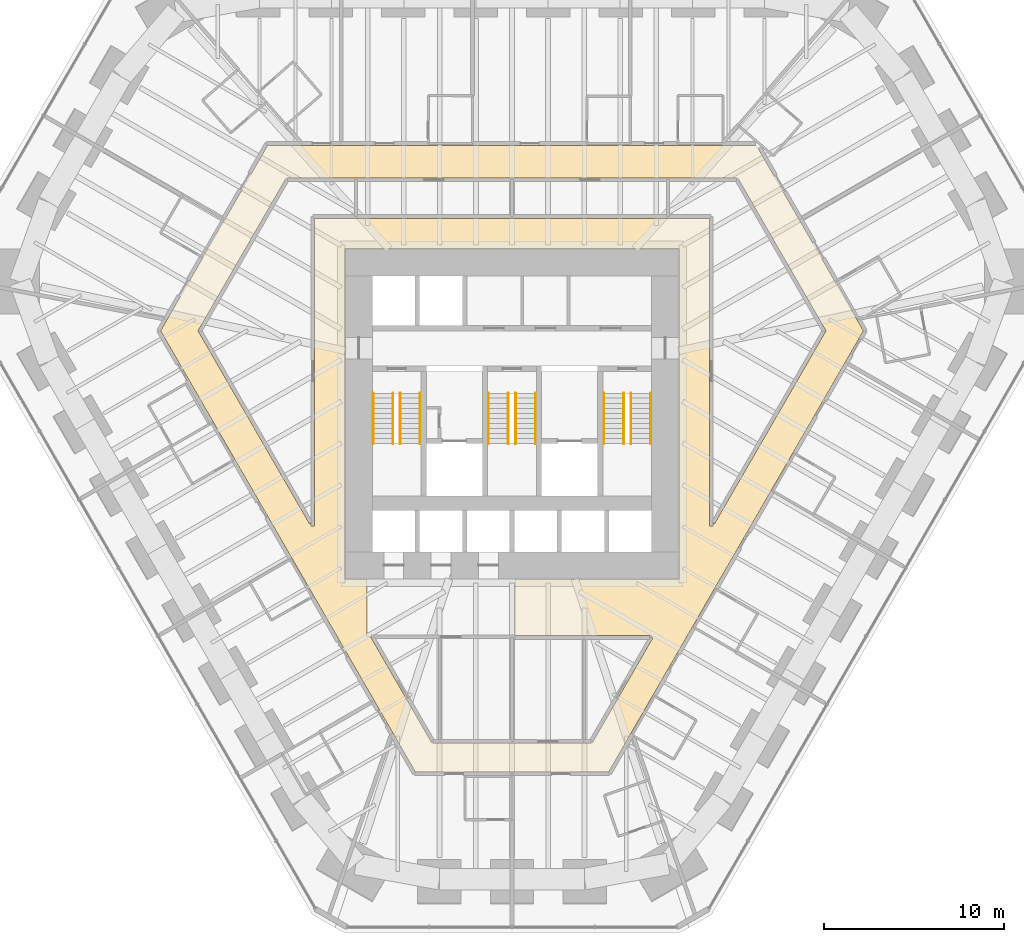
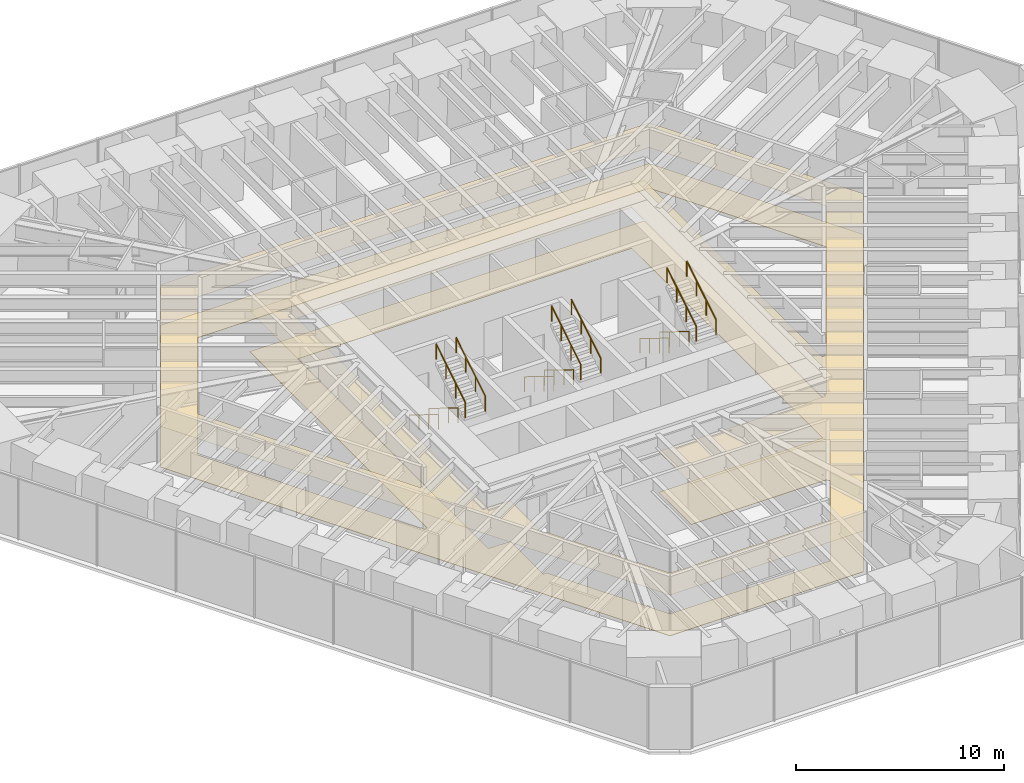
# One storey, part 17 of 17: 12 railings, 2 coverings.
"""IFC4 building model written with IfcOpenShell, lengths in metres."""

from ifc_helpers import new_model, si_unit, direction, frame, origin, origin_2d, place, context, subcontext, project, spatial, polyline, circle, outline, extrude, material, layer, layer_set, type_object, element, save


model = new_model("IFC4")

# Units and contexts
model_context = context("Model", 3, precision=1e-05, world=origin(), true_north=direction((0.0, 1.0)))
body_context = subcontext(model_context, "Body", "Model", "MODEL_VIEW")
ifc_project = project(units=[si_unit("LENGTHUNIT", "METRE"), si_unit("AREAUNIT", "SQUARE_METRE"), si_unit("VOLUMEUNIT", "CUBIC_METRE"), si_unit("PLANEANGLEUNIT", "RADIAN"), si_unit("MASSUNIT", "GRAM", prefix="KILO")], contexts=[model_context])

# Site, building, storey
site_placement = place(None, origin())
site = spatial("IfcSite", under=ifc_project, at=site_placement, CompositionType="ELEMENT")
building_placement = place(site_placement, origin())
building = spatial("IfcBuilding", under=site, at=building_placement, Name="Sandreach Pilgrim Tower", CompositionType="ELEMENT")
storey_placement = place(building_placement, frame((0.0, 0.0, 83.800048828125)))
storey = spatial("IfcBuildingStorey", under=building, at=storey_placement, Name="L20", CompositionType="ELEMENT", Elevation=83.800048828125)

# Covering
ifc_material_1 = material(Name="Gypsum board suspended ceiling on a steel grid", Category="steel")
ifc_layer_1 = layer(ifc_material_1, 0.012939453125)
ifc_layer_set_1 = layer_set([ifc_layer_1], Name="Gypsum board suspended ceiling")
covering_type_1 = type_object("IfcCoveringType", Name="Gypsum board suspended ceiling", PredefinedType="CEILING", material=ifc_layer_set_1)
covering_1_placement = place(storey_placement, frame((0.0, 0.0, 2.39990234375)))
element("IfcCovering", 1, at=covering_1_placement, inside=storey, type_object=covering_type_1, Name="Ceiling 20C Corridor 20", PredefinedType="CEILING", context=body_context, shape_type="SweptSolid", body=[
    extrude(outline(polyline([(-19.49462890625, 3.06005859375), (-13.55224609375, 13.35009765625), (13.55224609375, 13.35009765625), (19.494384765625, 3.06005859375), (5.3623046875, -21.409912109375), (-5.3623046875, -21.409912109375), (-19.49462890625, 3.06005859375)]), holes=[polyline([(-17.41552734375, 3.06005859375), (-11.24658203125, -7.61962890625), (-11.14990234375, -7.563720703125), (-11.14990234375, -7.760009765625), (-10.949951171875, -7.760009765625), (-10.949951171875, 9.300048828125), (10.949951171875, 9.300048828125), (10.949951171875, -7.760009765625), (11.14990234375, -7.760009765625), (11.14990234375, -7.563720703125), (11.24658203125, -7.61962890625), (17.41552734375, 3.06005859375), (12.517822265625, 11.550048828125), (-12.517822265625, 11.550048828125), (-17.41552734375, 3.06005859375)]), polyline([(-8.050048828125, -10.719970703125), (-8.050048828125, -13.89990234375), (-7.8544921875, -13.89990234375), (-4.437744140625, -19.81005859375), (4.437744140625, -19.81005859375), (7.796630859375, -14.0), (7.635009765625, -13.85009765625), (0.179931640625, -13.85009765625), (0.175048828125, -10.719970703125), (9.27001953125, -10.719970703125), (9.27001953125, 7.6201171875), (-9.27001953125, 7.6201171875), (-9.27001953125, -10.719970703125), (-8.050048828125, -10.719970703125)])]), origin(), (0.0, 0.0, 1.0), 0.012939453125),
])

# Railings
ifc_material_2 = material(Name="Stainless steel tube", Category="steel")
railing_type = type_object("IfcRailingType", Name="Stair handrail", PredefinedType="HANDRAIL", material=ifc_material_2)
for number, where, name in (
    (2, (-6.60009765625, -0.39990234375, 0.172607421875), "Handrail ST1 L20 flight 1"),
    (3, (-7.699951171875, -0.39990234375, 0.172607421875), "Handrail ST1 L20 flight 1"),
):
    element("IfcRailing", number, at=place(storey_placement, frame(where)), inside=storey, type_object=railing_type, Name=name, PredefinedType="HANDRAIL", context=body_context, shape_type="SweptSolid", body=[
        extrude(circle(Radius=0.02392578125, at=origin_2d()), frame((0.0, 0.0, 0.8759765625), z_axis=(0.0, -0.851089632645, 0.525020415988), x_axis=(1.0, 0.0, 0.0)), (0.0, 0.0, 1.0), 3.2900390625),
        extrude(circle(Radius=0.02099609375, at=origin_2d()), origin(), (0.0, 0.0, 1.0), 0.851806640625),
        extrude(circle(Radius=0.02099609375, at=origin_2d()), frame((0.0, -0.933349609375, 0.57568359375)), (0.0, 0.0, 1.0), 0.851806640625),
        extrude(circle(Radius=0.02099609375, at=origin_2d()), frame((0.0, -1.86669921875, 1.151611328125)), (0.0, 0.0, 1.0), 0.851806640625),
        extrude(circle(Radius=0.02099609375, at=origin_2d()), frame((0.0, -2.800048828125, 1.727294921875)), (0.0, 0.0, 1.0), 0.851806640625),
    ])
for number, where, name in (
    (4, (-6.199951171875, -3.199951171875, 2.07275390625), "Handrail ST1 L20 flight 2"),
    (5, (-5.10009765625, -3.199951171875, 2.07275390625), "Handrail ST1 L20 flight 2"),
):
    element("IfcRailing", number, at=place(storey_placement, frame(where)), inside=storey, type_object=railing_type, Name=name, PredefinedType="HANDRAIL", context=body_context, shape_type="SweptSolid", body=[
        extrude(circle(Radius=0.02392578125, at=origin_2d()), frame((0.0, 0.0, 0.8759765625), z_axis=(0.0, 0.851089632645, 0.525020415988), x_axis=(-1.0, 0.0, 0.0)), (0.0, 0.0, 1.0), 3.2900390625),
        extrude(circle(Radius=0.02099609375, at=origin_2d()), origin(), (0.0, 0.0, 1.0), 0.851806640625),
        extrude(circle(Radius=0.02099609375, at=origin_2d()), frame((0.0, 0.933349609375, 0.57568359375)), (0.0, 0.0, 1.0), 0.851806640625),
        extrude(circle(Radius=0.02099609375, at=origin_2d()), frame((0.0, 1.86669921875, 1.151611328125)), (0.0, 0.0, 1.0), 0.851806640625),
        extrude(circle(Radius=0.02099609375, at=origin_2d()), frame((0.0, 2.800048828125, 1.727294921875)), (0.0, 0.0, 1.0), 0.851806640625),
    ])
for number, where, name in (
    (6, (-0.199951171875, -0.39990234375, 0.172607421875), "Handrail ST3 L20 flight 1"),
    (7, (-1.300048828125, -0.39990234375, 0.172607421875), "Handrail ST3 L20 flight 1"),
):
    element("IfcRailing", number, at=place(storey_placement, frame(where)), inside=storey, type_object=railing_type, Name=name, PredefinedType="HANDRAIL", context=body_context, shape_type="SweptSolid", body=[
        extrude(circle(Radius=0.02392578125, at=origin_2d()), frame((0.0, 0.0, 0.8759765625), z_axis=(0.0, -0.851089632645, 0.525020415988), x_axis=(1.0, 0.0, 0.0)), (0.0, 0.0, 1.0), 3.2900390625),
        extrude(circle(Radius=0.02099609375, at=origin_2d()), origin(), (0.0, 0.0, 1.0), 0.851806640625),
        extrude(circle(Radius=0.02099609375, at=origin_2d()), frame((0.0, -0.933349609375, 0.57568359375)), (0.0, 0.0, 1.0), 0.851806640625),
        extrude(circle(Radius=0.02099609375, at=origin_2d()), frame((0.0, -1.86669921875, 1.151611328125)), (0.0, 0.0, 1.0), 0.851806640625),
        extrude(circle(Radius=0.02099609375, at=origin_2d()), frame((0.0, -2.800048828125, 1.727294921875)), (0.0, 0.0, 1.0), 0.851806640625),
    ])
for number, where, name in (
    (8, (0.199951171875, -3.199951171875, 2.07275390625), "Handrail ST3 L20 flight 2"),
    (9, (1.300048828125, -3.199951171875, 2.07275390625), "Handrail ST3 L20 flight 2"),
):
    element("IfcRailing", number, at=place(storey_placement, frame(where)), inside=storey, type_object=railing_type, Name=name, PredefinedType="HANDRAIL", context=body_context, shape_type="SweptSolid", body=[
        extrude(circle(Radius=0.02392578125, at=origin_2d()), frame((0.0, 0.0, 0.8759765625), z_axis=(0.0, 0.851089632645, 0.525020415988), x_axis=(-1.0, 0.0, 0.0)), (0.0, 0.0, 1.0), 3.2900390625),
        extrude(circle(Radius=0.02099609375, at=origin_2d()), origin(), (0.0, 0.0, 1.0), 0.851806640625),
        extrude(circle(Radius=0.02099609375, at=origin_2d()), frame((0.0, 0.933349609375, 0.57568359375)), (0.0, 0.0, 1.0), 0.851806640625),
        extrude(circle(Radius=0.02099609375, at=origin_2d()), frame((0.0, 1.86669921875, 1.151611328125)), (0.0, 0.0, 1.0), 0.851806640625),
        extrude(circle(Radius=0.02099609375, at=origin_2d()), frame((0.0, 2.800048828125, 1.727294921875)), (0.0, 0.0, 1.0), 0.851806640625),
    ])
for number, where, name in (
    (10, (6.199951171875, -0.39990234375, 0.172607421875), "Handrail ST2 L20 flight 1"),
    (11, (5.10009765625, -0.39990234375, 0.172607421875), "Handrail ST2 L20 flight 1"),
):
    element("IfcRailing", number, at=place(storey_placement, frame(where)), inside=storey, type_object=railing_type, Name=name, PredefinedType="HANDRAIL", context=body_context, shape_type="SweptSolid", body=[
        extrude(circle(Radius=0.02392578125, at=origin_2d()), frame((0.0, 0.0, 0.8759765625), z_axis=(0.0, -0.851089632645, 0.525020415988), x_axis=(1.0, 0.0, 0.0)), (0.0, 0.0, 1.0), 3.2900390625),
        extrude(circle(Radius=0.02099609375, at=origin_2d()), origin(), (0.0, 0.0, 1.0), 0.851806640625),
        extrude(circle(Radius=0.02099609375, at=origin_2d()), frame((0.0, -0.933349609375, 0.57568359375)), (0.0, 0.0, 1.0), 0.851806640625),
        extrude(circle(Radius=0.02099609375, at=origin_2d()), frame((0.0, -1.86669921875, 1.151611328125)), (0.0, 0.0, 1.0), 0.851806640625),
        extrude(circle(Radius=0.02099609375, at=origin_2d()), frame((0.0, -2.800048828125, 1.727294921875)), (0.0, 0.0, 1.0), 0.851806640625),
    ])
for number, where, name in (
    (12, (6.60009765625, -3.199951171875, 2.07275390625), "Handrail ST2 L20 flight 2"),
    (13, (7.699951171875, -3.199951171875, 2.07275390625), "Handrail ST2 L20 flight 2"),
):
    element("IfcRailing", number, at=place(storey_placement, frame(where)), inside=storey, type_object=railing_type, Name=name, PredefinedType="HANDRAIL", context=body_context, shape_type="SweptSolid", body=[
        extrude(circle(Radius=0.02392578125, at=origin_2d()), frame((0.0, 0.0, 0.8759765625), z_axis=(0.0, 0.851089632645, 0.525020415988), x_axis=(-1.0, 0.0, 0.0)), (0.0, 0.0, 1.0), 3.2900390625),
        extrude(circle(Radius=0.02099609375, at=origin_2d()), origin(), (0.0, 0.0, 1.0), 0.851806640625),
        extrude(circle(Radius=0.02099609375, at=origin_2d()), frame((0.0, 0.933349609375, 0.57568359375)), (0.0, 0.0, 1.0), 0.851806640625),
        extrude(circle(Radius=0.02099609375, at=origin_2d()), frame((0.0, 1.86669921875, 1.151611328125)), (0.0, 0.0, 1.0), 0.851806640625),
        extrude(circle(Radius=0.02099609375, at=origin_2d()), frame((0.0, 2.800048828125, 1.727294921875)), (0.0, 0.0, 1.0), 0.851806640625),
    ])

# Covering
ifc_material_3 = material(Name="Cement terrazzo, ground and polished", Category="terrazzo")
ifc_layer_2 = layer(ifc_material_3, 0.02490234375)
ifc_layer_set_2 = layer_set([ifc_layer_2], Name="Terrazzo")
covering_type_2 = type_object("IfcCoveringType", Name="Terrazzo", PredefinedType="FLOORING", material=ifc_layer_set_2)
covering_2_placement = place(storey_placement, origin())
element("IfcCovering", 14, at=covering_2_placement, inside=storey, type_object=covering_type_2, Name="Floor finish 20C Corridor 20", PredefinedType="FLOORING", context=body_context, shape_type="SweptSolid", body=[
    extrude(outline(polyline([(-19.49462890625, 3.06005859375), (-13.55224609375, 13.35009765625), (13.55224609375, 13.35009765625), (19.494384765625, 3.06005859375), (5.3623046875, -21.409912109375), (-5.3623046875, -21.409912109375), (-19.49462890625, 3.06005859375)]), holes=[polyline([(-17.41552734375, 3.06005859375), (-11.24658203125, -7.61962890625), (-11.14990234375, -7.563720703125), (-11.14990234375, -7.760009765625), (-10.949951171875, -7.760009765625), (-10.949951171875, 9.300048828125), (10.949951171875, 9.300048828125), (10.949951171875, -7.760009765625), (11.14990234375, -7.760009765625), (11.14990234375, -7.563720703125), (11.24658203125, -7.61962890625), (17.41552734375, 3.06005859375), (12.517822265625, 11.550048828125), (-12.517822265625, 11.550048828125), (-17.41552734375, 3.06005859375)]), polyline([(-8.050048828125, -10.719970703125), (-8.050048828125, -13.89990234375), (-7.8544921875, -13.89990234375), (-4.437744140625, -19.81005859375), (4.437744140625, -19.81005859375), (7.796630859375, -14.0), (7.635009765625, -13.85009765625), (0.179931640625, -13.85009765625), (0.175048828125, -10.719970703125), (9.27001953125, -10.719970703125), (9.27001953125, 7.6201171875), (-9.27001953125, 7.6201171875), (-9.27001953125, -10.719970703125), (-8.050048828125, -10.719970703125)])]), origin(), (0.0, 0.0, 1.0), 0.02490234375),
])

save(model, "model.ifc")
